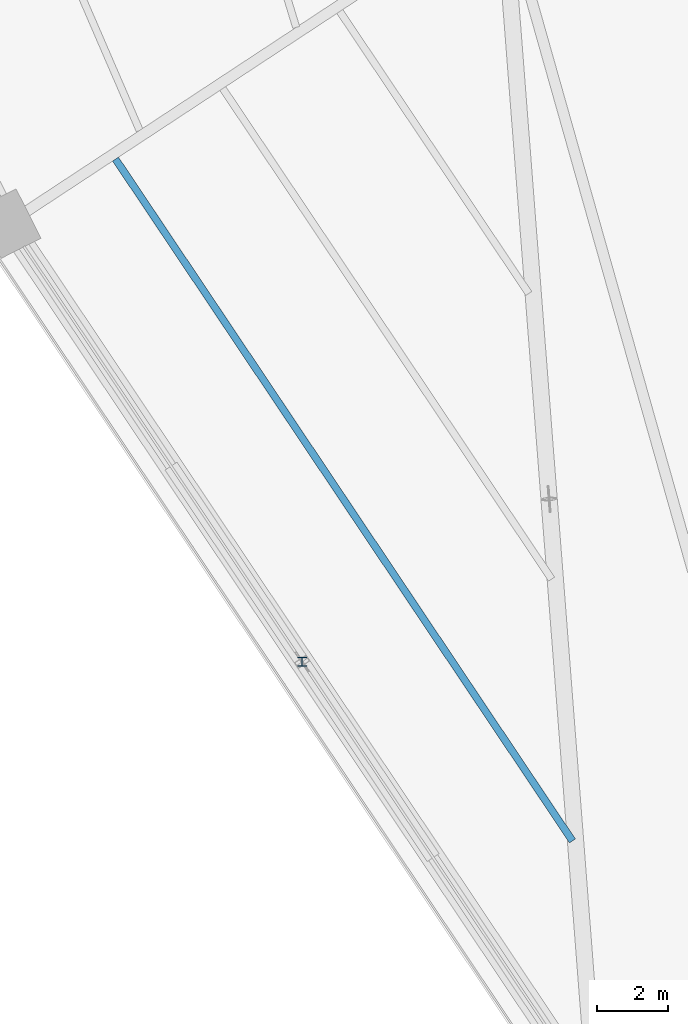
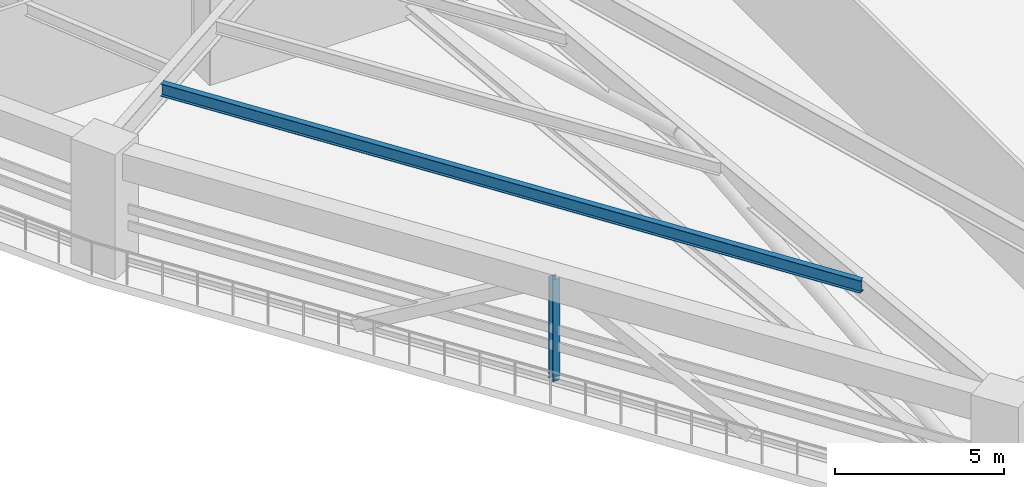
# One storey, part 2 of 25: 1 beam, 1 member.
"""IFC4 building model written with IfcOpenShell, lengths in metres."""

from ifc_helpers import new_model, si_unit, direction, frame, origin, origin_2d, place, context, subcontext, project, spatial, i_section, extrude, source, transform, mapped, material, material_profile, profile_set, type_object, element, save


model = new_model("IFC4")

# Units and contexts
model_context = context("Model", 3, precision=1e-05, world=origin(), true_north=direction((0.0, 1.0)))
body_context = subcontext(model_context, "Body", "Model", "MODEL_VIEW")
ifc_project = project(units=[si_unit("LENGTHUNIT", "METRE"), si_unit("AREAUNIT", "SQUARE_METRE"), si_unit("VOLUMEUNIT", "CUBIC_METRE"), si_unit("PLANEANGLEUNIT", "RADIAN"), si_unit("MASSUNIT", "GRAM", prefix="KILO")], contexts=[model_context])

# Site, building, storey
site_placement = place(None, origin())
site = spatial("IfcSite", under=ifc_project, at=site_placement, CompositionType="ELEMENT")
building_placement = place(site_placement, origin())
building = spatial("IfcBuilding", under=site, at=building_placement, Name="Liaohun Quay Tower", CompositionType="ELEMENT")
storey_placement = place(building_placement, frame((0.0, 0.0, 47.25)))
storey = spatial("IfcBuildingStorey", under=building, at=storey_placement, Name="L12", CompositionType="ELEMENT", Elevation=47.25)

# Beam
ifc_material = material(Name="Steel Q355D", Category="steel")
ifc_material_profile_1 = material_profile(ifc_material, i_section(OverallWidth=0.199951171875, OverallDepth=0.449951171875, WebThickness=0.009033203125, FlangeThickness=0.013916015625, at=origin_2d()), Name="HN450x200x9x14")
ifc_profile_set_1 = profile_set([ifc_material_profile_1], Name="Steel Q355D")
beam_type = type_object("IfcBeamType", Name="BM-SEC-J1", PredefinedType="JOIST", material=ifc_profile_set_1)
shared_shape_1 = source(origin(), body_context, "Body", "SweptSolid", [
    extrude(i_section(OverallWidth=0.199951171875, OverallDepth=0.449951171875, WebThickness=0.009033203125, FlangeThickness=0.013916015625, at=origin_2d()), origin(), (0.0, 0.0, 1.0), 23.018310546875),
])
beam_placement = place(storey_placement, frame((52.9580078125, 20.052001953125, 4.094970703125), z_axis=(-0.556730076877, 0.830693458202, 0.0), x_axis=(-0.830693458202, -0.556730076877, 0.0)))
element("IfcBeam", 1, at=beam_placement, inside=storey, type_object=beam_type, Name="L12 Wing Secondary Floor Joist SJ-03", PredefinedType="JOIST", context=body_context, shape_type="MappedRepresentation", body=[
    mapped(shared_shape_1, transform((0.0, 0.0, 0.0), x_axis=(1.0, 0.0, 0.0), y_axis=(0.0, 1.0, 0.0), z_axis=(0.0, 0.0, 1.0), scale=1.0)),
])

# Member
ifc_material_profile_2 = material_profile(ifc_material, i_section(OverallWidth=0.25, OverallDepth=0.25, WebThickness=0.009033203125, FlangeThickness=0.013916015625, at=origin_2d()), Name="HW250x250x9x14")
ifc_profile_set_2 = profile_set([ifc_material_profile_2], Name="Steel Q355D")
member_type = type_object("IfcMemberType", Name="MEM-BLT-PST", PredefinedType="POST", material=ifc_profile_set_2)
shared_shape_2 = source(origin(), body_context, "Body", "SweptSolid", [
    extrude(i_section(OverallWidth=0.25, OverallDepth=0.25, WebThickness=0.009033203125, FlangeThickness=0.013916015625, at=origin_2d()), origin(), (0.0, 0.0, 1.0), 3.669921875),
])
member_placement = place(storey_placement, frame((45.3759765625, 25.072998046875, 0.35009765625), z_axis=(0.0, 0.0, 1.0), x_axis=(1.0, 0.0, 0.0)))
element("IfcMember", 2, at=member_placement, inside=storey, type_object=member_type, Name="L12 Belt Truss Vertical Post BP-1-01", PredefinedType="POST", context=body_context, shape_type="MappedRepresentation", body=[
    mapped(shared_shape_2, transform((0.0, 0.0, 0.0), x_axis=(1.0, 0.0, 0.0), y_axis=(0.0, 1.0, 0.0), z_axis=(0.0, 0.0, 1.0), scale=1.0)),
])

save(model, "model.ifc")
